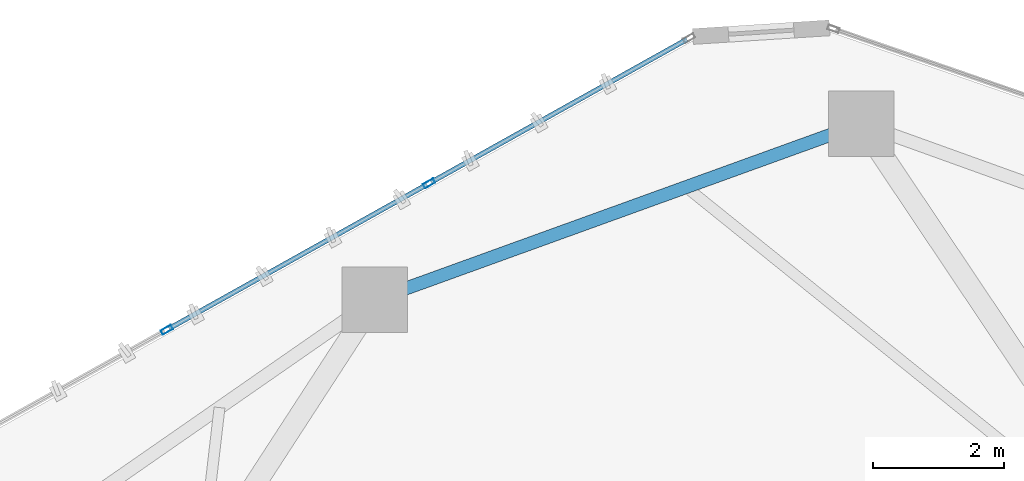
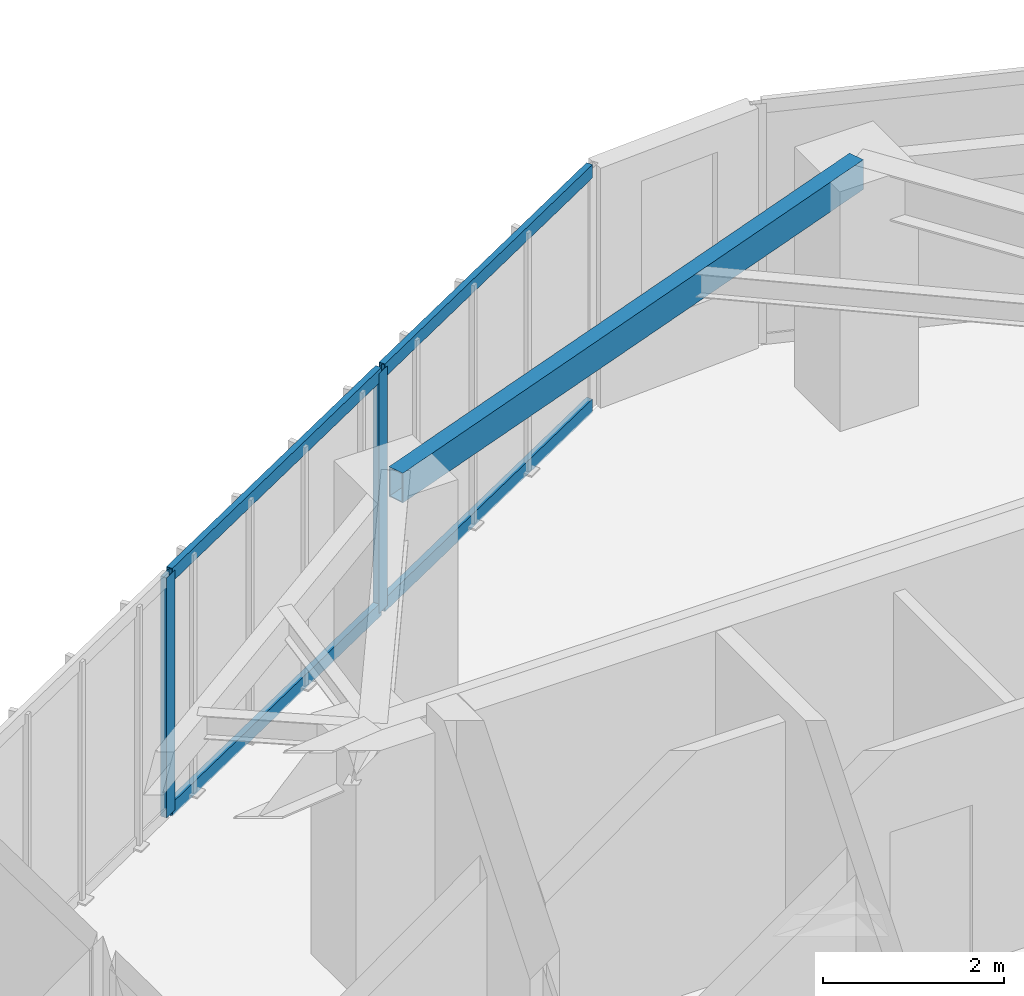
# One storey, part 12 of 19: 6 members, 1 beam, 1 element without a shape of its own.
"""IFC4 building model written with IfcOpenShell, lengths in metres."""

from ifc_helpers import new_model, si_unit, direction, frame, origin, origin_2d, place, context, subcontext, project, spatial, hollow_rectangle, extrude, source, transform, mapped, material, layer, layer_set, material_profile, profile_set, type_object, type_shapes, element, aggregate, save


model = new_model("IFC4")

# Units and contexts
model_context = context("Model", 3, precision=1e-05, world=origin(), true_north=direction((0.0, 1.0)))
body_context = subcontext(model_context, "Body", "Model", "MODEL_VIEW")
ifc_project = project(units=[si_unit("LENGTHUNIT", "METRE"), si_unit("AREAUNIT", "SQUARE_METRE"), si_unit("VOLUMEUNIT", "CUBIC_METRE"), si_unit("PLANEANGLEUNIT", "RADIAN"), si_unit("MASSUNIT", "GRAM", prefix="KILO")], contexts=[model_context])

# Site, building, storey
site_placement = place(None, origin())
site = spatial("IfcSite", under=ifc_project, at=site_placement, CompositionType="ELEMENT")
building_placement = place(site_placement, origin())
building = spatial("IfcBuilding", under=site, at=building_placement, Name="Talar Marvaseh", CompositionType="ELEMENT")
storey_placement = place(building_placement, frame((0.0, 0.0, 177.5)))
storey = spatial("IfcBuildingStorey", under=building, at=storey_placement, Name="L46", CompositionType="ELEMENT", Elevation=177.5)

# Beam
ifc_material_1 = material(Name="Steel S355", Category="steel")
ifc_material_profile_1 = material_profile(ifc_material_1, hollow_rectangle(XDim=0.199951171875, YDim=0.39990234375, WallThickness=0.013916015625, at=origin_2d()), Name="RHS400x200x14")
ifc_profile_set_1 = profile_set([ifc_material_profile_1], Name="Steel S355")
beam_type = type_object("IfcBeamType", Name="Zone 3 Perimeter Spandrel Beam RHS400x200x14", PredefinedType="SPANDREL", material=ifc_profile_set_1)
beam_placement = place(storey_placement, frame((21.35205078125, 40.986083984375, 3.030029296875), z_axis=(0.940368006783, 0.340158803824, 0.0), x_axis=(-0.340158803824, 0.940368006783, 0.0)))
element("IfcBeam", 1, at=beam_placement, inside=storey, type_object=beam_type, Name="L46 Zone 3 Perimeter Spandrel Beam RHS400x200x14", PredefinedType="SPANDREL", context=body_context, shape_type="SweptSolid", body=[
    extrude(hollow_rectangle(XDim=0.199951171875, YDim=0.39990234375, WallThickness=0.013916015625, at=origin_2d()), origin(), (0.0, 0.0, 1.0), 7.88427734375),
])

# Curtain wall, members
ifc_material_2 = material(Name="Architectural Aluminium", Category="aluminium")
ifc_layer = layer(ifc_material_2, 0.18994140625)
ifc_layer_set = layer_set([ifc_layer], Name="Architectural Aluminium")
curtain_wall_type = type_object("IfcCurtainWallType", Name="Unitised Solar Atelier Curtain Wall Z3", PredefinedType="NOTDEFINED", material=ifc_layer_set)
curtain_wall_placement = place(storey_placement, origin())
curtain_wall = element("IfcCurtainWall", 2, at=curtain_wall_placement, inside=storey, type_object=curtain_wall_type, Name="L46 Unitised Solar Atelier Curtain Wall Z3", PredefinedType="NOTDEFINED")
ifc_material_profile_2 = material_profile(ifc_material_2, hollow_rectangle(XDim=0.074951171875, YDim=0.179931640625, WallThickness=0.0048828125, at=origin_2d()), Name="RHS180x75x5")
ifc_profile_set_2 = profile_set([ifc_material_profile_2], Name="Architectural Aluminium")
member_type_1 = type_object("IfcMemberType", Name="Unitised Curtain Wall Standard Mullion RHS180x75x5", PredefinedType="MULLION", material=ifc_profile_set_2)
shared_shape_1 = source(origin(), body_context, "Body", "SweptSolid", [
    extrude(hollow_rectangle(XDim=0.074951171875, YDim=0.179931640625, WallThickness=0.0048828125, at=origin_2d()), origin(), (0.0, 0.0, 1.0), 3.22998046875),
])
type_shapes(member_type_1, [shared_shape_1])
member_1_placement = place(storey_placement, frame((18.181884765625, 40.52685546875, 0.0), z_axis=(0.0, 0.0, 1.0), x_axis=(-0.487589409522, 0.873073059785, 0.0)))
member_1 = element("IfcMember", 3, at=member_1_placement, type_object=member_type_1, Name="CW-Z3 mullion 2", PredefinedType="MULLION", context=body_context, shape_type="MappedRepresentation", body=[
    mapped(shared_shape_1, transform((0.0, 0.0, 0.0), x_axis=(1.0, 0.0, 0.0), y_axis=(0.0, 1.0, 0.0), z_axis=(0.0, 0.0, 1.0), scale=1.0)),
])
member_2_placement = place(storey_placement, frame((22.17822265625, 42.7587890625, 0.0), z_axis=(0.0, 0.0, 1.0), x_axis=(-0.487589409522, 0.873073059785, 0.0)))
member_2 = element("IfcMember", 4, at=member_2_placement, type_object=member_type_1, Name="CW-Z3 mullion 3", PredefinedType="MULLION", context=body_context, shape_type="MappedRepresentation", body=[
    mapped(shared_shape_1, transform((0.0, 0.0, 0.0), x_axis=(1.0, 0.0, 0.0), y_axis=(0.0, 1.0, 0.0), z_axis=(0.0, 0.0, 1.0), scale=1.0)),
])
ifc_material_profile_3 = material_profile(ifc_material_2, hollow_rectangle(XDim=0.074951171875, YDim=0.179931640625, WallThickness=0.0048828125, at=origin_2d()), Name="RHS180x75x5")
ifc_profile_set_3 = profile_set([ifc_material_profile_3], Name="Architectural Aluminium")
member_type_2 = type_object("IfcMemberType", Name="Unitised Curtain Wall Transom RHS180x75x5", PredefinedType="USERDEFINED", material=ifc_profile_set_3)
shared_shape_2 = source(origin(), body_context, "Body", "SweptSolid", [
    extrude(hollow_rectangle(XDim=0.074951171875, YDim=0.179931640625, WallThickness=0.0048828125, at=origin_2d()), origin(), (0.0, 0.0, 1.0), 4.46484375),
])
member_3_placement = place(storey_placement, frame((22.2109375, 42.777099609375, 0.03759765625), z_axis=(0.873076995723, 0.4875823618, 0.0), x_axis=(-0.4875823618, 0.873076995723, 0.0)))
member_3 = element("IfcMember", 5, at=member_3_placement, type_object=member_type_2, Name="CW-Z3 transom 3.1", ObjectType="TRANSOM", PredefinedType="USERDEFINED", context=body_context, shape_type="MappedRepresentation", body=[
    mapped(shared_shape_2, transform((0.0, 0.0, 0.0), x_axis=(1.0, 0.0, 0.0), y_axis=(0.0, 1.0, 0.0), z_axis=(0.0, 0.0, 1.0), scale=1.0)),
])
member_4_placement = place(storey_placement, frame((22.2109375, 42.777099609375, 3.1923828125), z_axis=(0.873076995723, 0.4875823618, 0.0), x_axis=(-0.4875823618, 0.873076995723, 0.0)))
member_4 = element("IfcMember", 6, at=member_4_placement, type_object=member_type_2, Name="CW-Z3 transom 3.2", ObjectType="TRANSOM", PredefinedType="USERDEFINED", context=body_context, shape_type="MappedRepresentation", body=[
    mapped(shared_shape_2, transform((0.0, 0.0, 0.0), x_axis=(1.0, 0.0, 0.0), y_axis=(0.0, 1.0, 0.0), z_axis=(0.0, 0.0, 1.0), scale=1.0)),
])
shared_shape_3 = source(origin(), body_context, "Body", "SweptSolid", [
    extrude(hollow_rectangle(XDim=0.074951171875, YDim=0.179931640625, WallThickness=0.0048828125, at=origin_2d()), origin(), (0.0, 0.0, 1.0), 4.50244140625),
])
type_shapes(member_type_2, [shared_shape_2, shared_shape_3])
member_5_placement = place(storey_placement, frame((18.214599609375, 40.545166015625, 0.03759765625), z_axis=(0.873073168957, 0.48758921404, 0.0), x_axis=(-0.48758921404, 0.873073168957, 0.0)))
member_5 = element("IfcMember", 7, at=member_5_placement, type_object=member_type_2, Name="CW-Z3 transom 2.1", ObjectType="TRANSOM", PredefinedType="USERDEFINED", context=body_context, shape_type="MappedRepresentation", body=[
    mapped(shared_shape_3, transform((0.0, 0.0, 0.0), x_axis=(1.0, 0.0, 0.0), y_axis=(0.0, 1.0, 0.0), z_axis=(0.0, 0.0, 1.0), scale=1.0)),
])
member_6_placement = place(storey_placement, frame((18.214599609375, 40.545166015625, 3.1923828125), z_axis=(0.873073168957, 0.48758921404, 0.0), x_axis=(-0.48758921404, 0.873073168957, 0.0)))
member_6 = element("IfcMember", 8, at=member_6_placement, type_object=member_type_2, Name="CW-Z3 transom 2.2", ObjectType="TRANSOM", PredefinedType="USERDEFINED", context=body_context, shape_type="MappedRepresentation", body=[
    mapped(shared_shape_3, transform((0.0, 0.0, 0.0), x_axis=(1.0, 0.0, 0.0), y_axis=(0.0, 1.0, 0.0), z_axis=(0.0, 0.0, 1.0), scale=1.0)),
])
aggregate(curtain_wall, [member_1, member_2, member_5, member_6, member_3, member_4])

save(model, "model.ifc")
